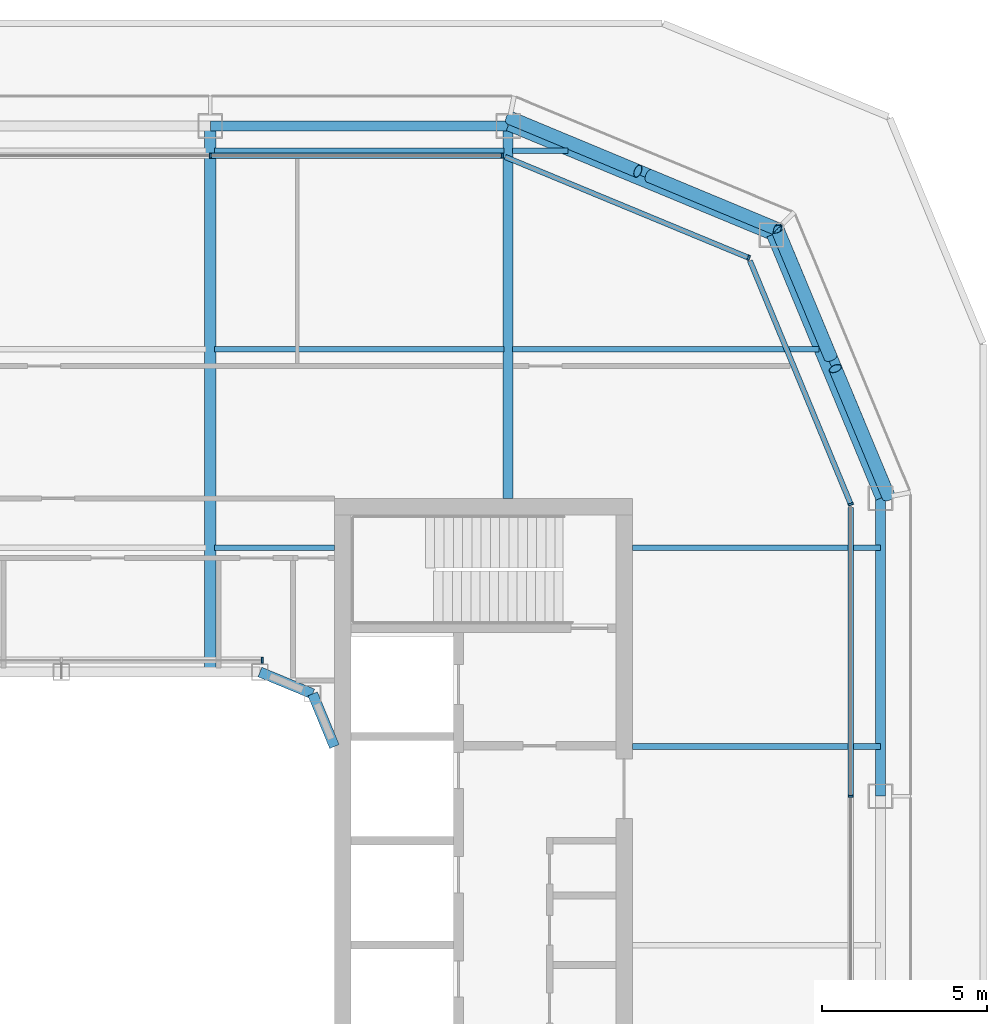
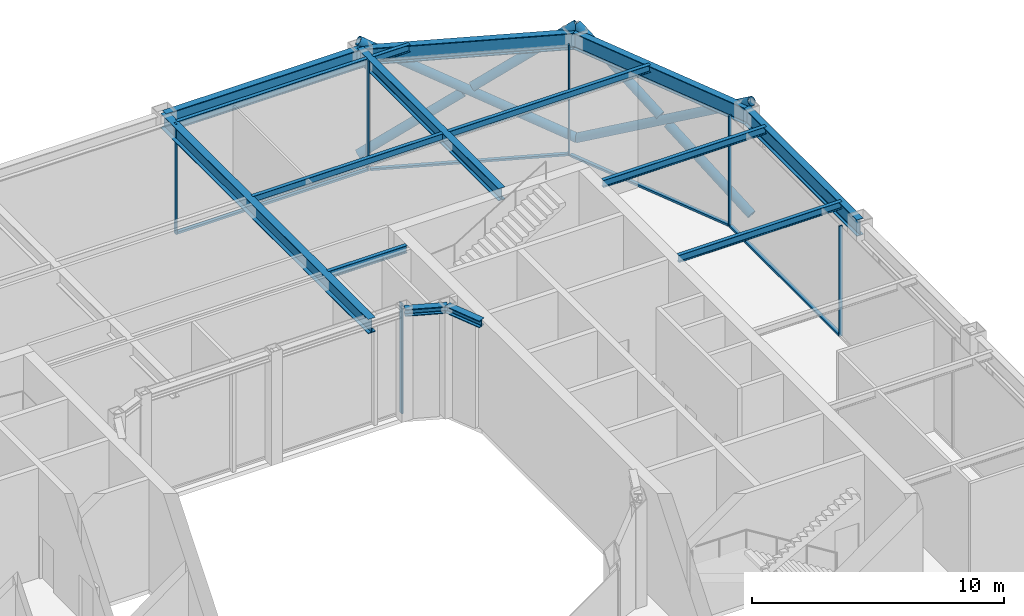
# One storey, part 8 of 17: 16 members, 15 beams, 5 elements without a shape of their own.
"""IFC4 building model written with IfcOpenShell, lengths in metres."""

from ifc_helpers import new_model, si_unit, direction, frame, origin, origin_2d, place, context, subcontext, project, spatial, rectangle, hollow_circle, i_section, extrude, material, layer, layer_set, material_profile, profile_set, type_object, element, aggregate, save


model = new_model("IFC4")

# Units and contexts
model_context = context("Model", 3, precision=1e-05, world=origin(), true_north=direction((0.0, 1.0)))
body_context = subcontext(model_context, "Body", "Model", "MODEL_VIEW")
ifc_project = project(units=[si_unit("LENGTHUNIT", "METRE"), si_unit("AREAUNIT", "SQUARE_METRE"), si_unit("VOLUMEUNIT", "CUBIC_METRE"), si_unit("PLANEANGLEUNIT", "RADIAN"), si_unit("MASSUNIT", "GRAM", prefix="KILO")], contexts=[model_context])

# Site, building, storey
site_placement = place(None, origin())
site = spatial("IfcSite", under=ifc_project, at=site_placement, CompositionType="ELEMENT")
building_placement = place(site_placement, origin())
building = spatial("IfcBuilding", under=site, at=building_placement, Name="Siwar Civic Tower", CompositionType="ELEMENT")
storey_placement = place(building_placement, frame((0.0, 0.0, 284.199951171875)))
storey = spatial("IfcBuildingStorey", under=building, at=storey_placement, Name="L61", CompositionType="ELEMENT", Elevation=284.199951171875)

# Curtain wall, member
ifc_material_1 = material(Name="Aluminium and glass", Category="aluminium")
ifc_layer_1 = layer(ifc_material_1, 0.159912109375)
ifc_layer_set_1 = layer_set([ifc_layer_1], Name="Aluminium and glass")
curtain_wall_type_1 = type_object("IfcCurtainWallType", Name="ENV-CW-D", PredefinedType="NOTDEFINED", material=ifc_layer_set_1)
curtain_wall_1_placement = place(storey_placement, origin())
curtain_wall_1 = element("IfcCurtainWall", 1, at=curtain_wall_1_placement, inside=storey, type_object=curtain_wall_type_1, Name="Curtain wall D E", PredefinedType="NOTDEFINED")
ifc_material_2 = material(Name="Aluminium 6063-T6", Category="aluminium")
ifc_material_profile_1 = material_profile(ifc_material_2, rectangle(XDim=0.159912109375, YDim=0.06005859375, at=origin_2d()), Name="AL 160x60")
ifc_profile_set_1 = profile_set([ifc_material_profile_1], Name="Aluminium 6063-T6")
member_type_1 = type_object("IfcMemberType", Name="ENV-MULLION-D", PredefinedType="MULLION", material=ifc_profile_set_1)
member_1_placement = place(storey_placement, frame((23.85009765625, 4.5, 0.0), z_axis=(0.0, 0.0, 1.0), x_axis=(-1.0, 0.0, 0.0)))
member_1 = element("IfcMember", 2, at=member_1_placement, type_object=member_type_1, Name="Mullion D E 3", PredefinedType="MULLION", context=body_context, shape_type="SweptSolid", body=[
    extrude(rectangle(XDim=0.159912109375, YDim=0.06005859375, at=origin_2d()), origin(), (0.0, 0.0, 1.0), 5.35009765625),
])

ifc_material_3 = material(Name="Aluminium clad insulated panel", Category="aluminium")
ifc_layer_2 = layer(ifc_material_3, 0.159912109375)
ifc_layer_set_2 = layer_set([ifc_layer_2], Name="Aluminium clad insulated panel")
curtain_wall_type_2 = type_object("IfcCurtainWallType", Name="ENV-CW-DX", PredefinedType="NOTDEFINED", material=ifc_layer_set_2)
curtain_wall_2_placement = place(storey_placement, origin())
curtain_wall_2 = element("IfcCurtainWall", 3, at=curtain_wall_2_placement, inside=storey, type_object=curtain_wall_type_2, Name="Curtain wall D NE1", PredefinedType="NOTDEFINED")
member_2_placement = place(storey_placement, frame((23.85009765625, 13.321044921875, 0.0), z_axis=(0.0, 0.0, 1.0), x_axis=(-0.923879532511, -0.382683432365, 0.0)))
member_2 = element("IfcMember", 4, at=member_2_placement, type_object=member_type_1, Name="Mullion D NE1 1", PredefinedType="MULLION", context=body_context, shape_type="SweptSolid", body=[
    extrude(rectangle(XDim=0.159912109375, YDim=0.06005859375, at=origin_2d()), origin(), (0.0, 0.0, 1.0), 5.35009765625),
])

curtain_wall_3_placement = place(storey_placement, origin())
curtain_wall_3 = element("IfcCurtainWall", 5, at=curtain_wall_3_placement, inside=storey, type_object=curtain_wall_type_2, Name="Curtain wall D NE2", PredefinedType="NOTDEFINED")
member_3_placement = place(storey_placement, frame((20.76611328125, 20.76611328125, 0.0), z_axis=(0.0, 0.0, 1.0), x_axis=(-0.382683432365, -0.923879532511, 0.0)))
member_3 = element("IfcMember", 6, at=member_3_placement, type_object=member_type_1, Name="Mullion D NE2 1", PredefinedType="MULLION", context=body_context, shape_type="SweptSolid", body=[
    extrude(rectangle(XDim=0.159912109375, YDim=0.06005859375, at=origin_2d()), origin(), (0.0, 0.0, 1.0), 5.35009765625),
])

# Curtain wall, members
curtain_wall_4_placement = place(storey_placement, origin())
curtain_wall_4 = element("IfcCurtainWall", 7, at=curtain_wall_4_placement, inside=storey, type_object=curtain_wall_type_1, Name="Curtain wall D N", PredefinedType="NOTDEFINED")
member_4_placement = place(storey_placement, frame((13.321044921875, 23.85009765625, 0.0), z_axis=(0.0, 0.0, 1.0), x_axis=(0.0, -1.0, 0.0)))
member_4 = element("IfcMember", 8, at=member_4_placement, type_object=member_type_1, Name="Mullion D N 1", PredefinedType="MULLION", context=body_context, shape_type="SweptSolid", body=[
    extrude(rectangle(XDim=0.159912109375, YDim=0.06005859375, at=origin_2d()), origin(), (0.0, 0.0, 1.0), 5.35009765625),
])
member_5_placement = place(storey_placement, frame((4.5, 23.85009765625, 0.0), z_axis=(0.0, 0.0, 1.0), x_axis=(0.0, -1.0, 0.0)))
member_5 = element("IfcMember", 9, at=member_5_placement, type_object=member_type_1, Name="Mullion D N 2", PredefinedType="MULLION", context=body_context, shape_type="SweptSolid", body=[
    extrude(rectangle(XDim=0.159912109375, YDim=0.06005859375, at=origin_2d()), origin(), (0.0, 0.0, 1.0), 5.35009765625),
])

# Curtain wall, member
ifc_material_4 = material(Name="Aluminium and glass", Category="aluminium")
ifc_layer_3 = layer(ifc_material_4, 0.179931640625)
ifc_layer_set_3 = layer_set([ifc_layer_3], Name="Aluminium and glass")
curtain_wall_type_3 = type_object("IfcCurtainWallType", Name="ENV-CW-W", PredefinedType="NOTDEFINED", material=ifc_layer_set_3)
curtain_wall_5_placement = place(storey_placement, origin())
curtain_wall_5 = element("IfcCurtainWall", 10, at=curtain_wall_5_placement, inside=storey, type_object=curtain_wall_type_3, Name="Curtain wall W WN", PredefinedType="NOTDEFINED")
ifc_material_5 = material(Name="Aluminium 6063-T6", Category="aluminium")
ifc_material_profile_2 = material_profile(ifc_material_5, rectangle(XDim=0.179931640625, YDim=0.06005859375, at=origin_2d()), Name="AL 180x60")
ifc_profile_set_2 = profile_set([ifc_material_profile_2], Name="Aluminium 6063-T6")
member_type_2 = type_object("IfcMemberType", Name="ENV-MULLION-W", PredefinedType="MULLION", material=ifc_profile_set_2)
member_6_placement = place(storey_placement, frame((6.071533203125, 8.610107421875, 0.0), z_axis=(0.0, 0.0, 1.0), x_axis=(0.0, -1.0, 0.0)))
member_6 = element("IfcMember", 11, at=member_6_placement, type_object=member_type_2, Name="Mullion W WN 1", PredefinedType="MULLION", context=body_context, shape_type="SweptSolid", body=[
    extrude(rectangle(XDim=0.179931640625, YDim=0.06005859375, at=origin_2d()), origin(), (0.0, 0.0, 1.0), 5.35009765625),
])
aggregate(curtain_wall_5, [member_6])

# Member
ifc_material_6 = material(Name="Aluminium 6063-T6", Category="aluminium")
ifc_material_profile_3 = material_profile(ifc_material_6, rectangle(XDim=0.159912109375, YDim=0.10009765625, at=origin_2d()), Name="AL 160x100")
ifc_profile_set_3 = profile_set([ifc_material_profile_3], Name="Aluminium 6063-T6")
member_type_3 = type_object("IfcMemberType", Name="ENV-TRANSOM-D", PredefinedType="USERDEFINED", material=ifc_profile_set_3)
member_7_placement = place(storey_placement, frame((23.85009765625, 4.530029296875, 0.050048828125), z_axis=(0.0, 1.0, 0.0), x_axis=(-1.0, 0.0, 0.0)))
member_7 = element("IfcMember", 12, at=member_7_placement, type_object=member_type_3, Name="Transom D E 3", ObjectType="TRANSOM", PredefinedType="USERDEFINED", context=body_context, shape_type="SweptSolid", body=[
    extrude(rectangle(XDim=0.159912109375, YDim=0.10009765625, at=origin_2d()), origin(), (0.0, 0.0, 1.0), 8.693115234375),
])

aggregate(curtain_wall_1, [member_1, member_7])

member_8_placement = place(storey_placement, frame((23.838623046875, 13.3486328125, 0.050048828125), z_axis=(-0.382699790424, 0.923872756612, 0.0), x_axis=(-0.923872756612, -0.382699790424, 0.0)))
member_8 = element("IfcMember", 13, at=member_8_placement, type_object=member_type_3, Name="Transom D NE1 1", ObjectType="TRANSOM", PredefinedType="USERDEFINED", context=body_context, shape_type="SweptSolid", body=[
    extrude(rectangle(XDim=0.159912109375, YDim=0.10009765625, at=origin_2d()), origin(), (0.0, 0.0, 1.0), 7.930908203125),
])

aggregate(curtain_wall_2, [member_2, member_8])

member_9_placement = place(storey_placement, frame((20.738525390625, 20.777587890625, 0.050048828125), z_axis=(-0.923883640343, 0.382673515031, 0.0), x_axis=(-0.382673515031, -0.923883640343, 0.0)))
member_9 = element("IfcMember", 14, at=member_9_placement, type_object=member_type_3, Name="Transom D NE2 1", ObjectType="TRANSOM", PredefinedType="USERDEFINED", context=body_context, shape_type="SweptSolid", body=[
    extrude(rectangle(XDim=0.159912109375, YDim=0.10009765625, at=origin_2d()), origin(), (0.0, 0.0, 1.0), 7.930908203125),
])

aggregate(curtain_wall_3, [member_3, member_9])

member_10_placement = place(storey_placement, frame((13.291015625, 23.85009765625, 0.050048828125), z_axis=(-1.0, 0.0, 0.0), x_axis=(0.0, -1.0, 0.0)))
member_10 = element("IfcMember", 15, at=member_10_placement, type_object=member_type_3, Name="Transom D N 1", ObjectType="TRANSOM", PredefinedType="USERDEFINED", context=body_context, shape_type="SweptSolid", body=[
    extrude(rectangle(XDim=0.159912109375, YDim=0.10009765625, at=origin_2d()), origin(), (0.0, 0.0, 1.0), 8.760986328125),
])

aggregate(curtain_wall_4, [member_4, member_5, member_10])

# Members
ifc_material_7 = material(Name="Steel S355", Category="steel")
ifc_material_profile_4 = material_profile(ifc_material_7, hollow_circle(Radius=0.203125, WallThickness=0.01611328125, at=origin_2d()), Name="CHS406.4x16")
ifc_profile_set_4 = profile_set([ifc_material_profile_4], Name="Steel S355")
member_type_4 = type_object("IfcMemberType", Name="STR-BR-CHS406.4x16", PredefinedType="BRACE", material=ifc_profile_set_4)
member_11_placement = place(storey_placement, frame((21.6318359375, 21.6318359375, 0.0), z_axis=(-0.781791416726, 0.325297769627, 0.531961974025), x_axis=(-0.384163874976, -0.923264922524, 0.0)))
element("IfcMember", 16, at=member_11_placement, inside=storey, type_object=member_type_4, Name="L61/brc/DNE1-0-0-1", PredefinedType="BRACE", context=body_context, shape_type="SweptSolid", body=[
    extrude(hollow_circle(Radius=0.203125, WallThickness=0.01611328125, at=origin_2d()), origin(), (0.0, 0.0, 1.0), 10.339111328125),
])
for number, where, z_axis, x_axis, name in (
    (17, (13.548828125, 24.9951171875, 0.0), (0.78176721637, -0.325296461459, 0.53199833794), (0.38417269508, 0.923261252493, 0.0), "L61/brc/DNE1-0-0-2"),
    (18, (17.7626953125, 23.24169921875, 2.867431640625), (0.781806913569, -0.325292452554, 0.531942450089), (0.384152031417, 0.923269850454, 0.0), "L61/brc/DNE1-0-0-3"),
):
    element("IfcMember", number, at=place(storey_placement, frame(where, z_axis=z_axis, x_axis=x_axis)), inside=storey, type_object=member_type_4, Name=name, PredefinedType="BRACE", context=body_context, shape_type="SweptSolid", body=[
        extrude(hollow_circle(Radius=0.203125, WallThickness=0.01611328125, at=origin_2d()), origin(), (0.0, 0.0, 1.0), 4.948974609375),
    ])
member_12_placement = place(storey_placement, frame((21.6318359375, 21.6318359375, 0.0), z_axis=(0.325297769627, -0.781791416726, 0.531961974025), x_axis=(0.923264922524, 0.384163874976, 0.0)))
element("IfcMember", 19, at=member_12_placement, inside=storey, type_object=member_type_4, Name="L61/brc/DNE1-0-0-0", PredefinedType="BRACE", context=body_context, shape_type="SweptSolid", body=[
    extrude(hollow_circle(Radius=0.203125, WallThickness=0.01611328125, at=origin_2d()), origin(), (0.0, 0.0, 1.0), 10.339111328125),
])
for number, where, z_axis, x_axis, name in (
    (20, (24.9951171875, 13.548828125, 0.0), (-0.325296461459, 0.78176721637, 0.53199833794), (-0.923261252493, -0.38417269508, 0.0), "L61/brc/DNE1-0-0-4"),
    (21, (23.24169921875, 17.7626953125, 2.867431640625), (-0.325292452554, 0.781806913569, 0.531942450089), (-0.923269850454, -0.384152031417, 0.0), "L61/brc/DNE1-0-0-5"),
):
    element("IfcMember", number, at=place(storey_placement, frame(where, z_axis=z_axis, x_axis=x_axis)), inside=storey, type_object=member_type_4, Name=name, PredefinedType="BRACE", context=body_context, shape_type="SweptSolid", body=[
        extrude(hollow_circle(Radius=0.203125, WallThickness=0.01611328125, at=origin_2d()), origin(), (0.0, 0.0, 1.0), 4.948974609375),
    ])

# Beams
ifc_material_8 = material(Name="Steel S355", Category="steel")
ifc_material_profile_5 = material_profile(ifc_material_8, i_section(OverallWidth=0.169921875, OverallDepth=0.360107421875, WebThickness=0.008056640625, FlangeThickness=0.0126953125, FilletRadius=0.01806640625, at=origin_2d()), Name="IPE360")
ifc_profile_set_5 = profile_set([ifc_material_profile_5], Name="Steel S355")
beam_type_1 = type_object("IfcBeamType", Name="STR-FB-IPE360", PredefinedType="JOIST", material=ifc_profile_set_5)
beam_1_placement = place(storey_placement, frame((17.25, 6.0, 5.170166015625), z_axis=(1.0, 0.0, 0.0), x_axis=(0.0, 1.0, 0.0)))
element("IfcBeam", 22, at=beam_1_placement, inside=storey, type_object=beam_type_1, Name="L61/bm/F021", PredefinedType="JOIST", context=body_context, shape_type="SweptSolid", body=[
    extrude(i_section(OverallWidth=0.169921875, OverallDepth=0.360107421875, WebThickness=0.008056640625, FlangeThickness=0.0126953125, FilletRadius=0.01806640625, at=origin_2d()), origin(), (0.0, 0.0, 1.0), 7.5),
])
beam_2_placement = place(storey_placement, frame((4.6298828125, 12.0, 5.170166015625), z_axis=(1.0, 0.0, 0.0), x_axis=(0.0, 1.0, 0.0)))
element("IfcBeam", 23, at=beam_2_placement, inside=storey, type_object=beam_type_1, Name="L61/bm/F025", PredefinedType="JOIST", context=body_context, shape_type="SweptSolid", body=[
    extrude(i_section(OverallWidth=0.169921875, OverallDepth=0.360107421875, WebThickness=0.008056640625, FlangeThickness=0.0126953125, FilletRadius=0.01806640625, at=origin_2d()), origin(), (0.0, 0.0, 1.0), 3.6201171875),
])
beam_3_placement = place(storey_placement, frame((17.25, 12.0, 5.170166015625), z_axis=(1.0, 0.0, 0.0), x_axis=(0.0, 1.0, 0.0)))
element("IfcBeam", 24, at=beam_3_placement, inside=storey, type_object=beam_type_1, Name="L61/bm/F026", PredefinedType="JOIST", context=body_context, shape_type="SweptSolid", body=[
    extrude(i_section(OverallWidth=0.169921875, OverallDepth=0.360107421875, WebThickness=0.008056640625, FlangeThickness=0.0126953125, FilletRadius=0.01806640625, at=origin_2d()), origin(), (0.0, 0.0, 1.0), 7.5),
])
beam_4_placement = place(storey_placement, frame((4.6298828125, 18.0, 5.170166015625), z_axis=(1.0, 0.0, 0.0), x_axis=(0.0, 1.0, 0.0)))
element("IfcBeam", 25, at=beam_4_placement, inside=storey, type_object=beam_type_1, Name="L61/bm/F030", PredefinedType="JOIST", context=body_context, shape_type="SweptSolid", body=[
    extrude(i_section(OverallWidth=0.169921875, OverallDepth=0.360107421875, WebThickness=0.008056640625, FlangeThickness=0.0126953125, FilletRadius=0.01806640625, at=origin_2d()), origin(), (0.0, 0.0, 1.0), 8.740234375),
])
beam_5_placement = place(storey_placement, frame((13.6298828125, 18.0, 5.170166015625), z_axis=(1.0, 0.0, 0.0), x_axis=(0.0, 1.0, 0.0)))
element("IfcBeam", 26, at=beam_5_placement, inside=storey, type_object=beam_type_1, Name="L61/bm/F031", PredefinedType="JOIST", context=body_context, shape_type="SweptSolid", body=[
    extrude(i_section(OverallWidth=0.169921875, OverallDepth=0.360107421875, WebThickness=0.008056640625, FlangeThickness=0.0126953125, FilletRadius=0.01806640625, at=origin_2d()), origin(), (0.0, 0.0, 1.0), 9.256103515625),
])
beam_6_placement = place(storey_placement, frame((4.6298828125, 24.0, 5.170166015625), z_axis=(1.0, 0.0, 0.0), x_axis=(0.0, 1.0, 0.0)))
element("IfcBeam", 27, at=beam_6_placement, inside=storey, type_object=beam_type_1, Name="L61/bm/F035", PredefinedType="JOIST", context=body_context, shape_type="SweptSolid", body=[
    extrude(i_section(OverallWidth=0.169921875, OverallDepth=0.360107421875, WebThickness=0.008056640625, FlangeThickness=0.0126953125, FilletRadius=0.01806640625, at=origin_2d()), origin(), (0.0, 0.0, 1.0), 8.740234375),
])
beam_7_placement = place(storey_placement, frame((13.6298828125, 24.0, 5.170166015625), z_axis=(1.0, 0.0, 0.0), x_axis=(0.0, 1.0, 0.0)))
element("IfcBeam", 28, at=beam_7_placement, inside=storey, type_object=beam_type_1, Name="L61/bm/F036", PredefinedType="JOIST", context=body_context, shape_type="SweptSolid", body=[
    extrude(i_section(OverallWidth=0.169921875, OverallDepth=0.360107421875, WebThickness=0.008056640625, FlangeThickness=0.0126953125, FilletRadius=0.01806640625, at=origin_2d()), origin(), (0.0, 0.0, 1.0), 1.6806640625),
])
ifc_material_9 = material(Name="Steel S355", Category="steel")
ifc_material_profile_6 = material_profile(ifc_material_9, i_section(OverallWidth=0.300048828125, OverallDepth=0.60009765625, WebThickness=0.015380859375, FlangeThickness=0.030029296875, FilletRadius=0.027099609375, at=origin_2d()), Name="HEB600")
ifc_profile_set_6 = profile_set([ifc_material_profile_6], Name="Steel S355")
beam_type_2 = type_object("IfcBeamType", Name="STR-PG-HEB600", PredefinedType="BEAM", material=ifc_profile_set_6)
beam_8_placement = place(storey_placement, frame((13.5, 13.5, 5.050048828125), z_axis=(0.0, 1.0, 0.0), x_axis=(-1.0, 0.0, 0.0)))
element("IfcBeam", 29, at=beam_8_placement, inside=storey, type_object=beam_type_2, Name="L61/bm/G08", PredefinedType="BEAM", context=body_context, shape_type="SweptSolid", body=[
    extrude(i_section(OverallWidth=0.300048828125, OverallDepth=0.60009765625, WebThickness=0.015380859375, FlangeThickness=0.030029296875, FilletRadius=0.027099609375, at=origin_2d()), origin(), (0.0, 0.0, 1.0), 11.25),
])
ifc_material_10 = material(Name="Steel S355", Category="steel")
ifc_material_profile_7 = material_profile(ifc_material_10, i_section(OverallWidth=0.340087890625, OverallDepth=0.699951171875, WebThickness=0.013916015625, FlangeThickness=0.030029296875, at=origin_2d()), Name="PG700x340x14x30")
ifc_profile_set_7 = profile_set([ifc_material_profile_7], Name="Steel S355")
beam_type_3 = type_object("IfcBeamType", Name="STR-PG-PG700x340x14x30", PredefinedType="BEAM", material=ifc_profile_set_7)
beam_9_placement = place(storey_placement, frame((4.5, 8.25, 5.0), z_axis=(0.0, 1.0, 0.0), x_axis=(-1.0, 0.0, 0.0)))
element("IfcBeam", 30, at=beam_9_placement, inside=storey, type_object=beam_type_3, Name="L61/bm/G06", PredefinedType="BEAM", context=body_context, shape_type="SweptSolid", body=[
    extrude(i_section(OverallWidth=0.340087890625, OverallDepth=0.699951171875, WebThickness=0.013916015625, FlangeThickness=0.030029296875, at=origin_2d()), origin(), (0.0, 0.0, 1.0), 16.5),
])
ifc_material_11 = material(Name="Steel S355", Category="steel")
ifc_material_profile_8 = material_profile(ifc_material_11, i_section(OverallWidth=0.31005859375, OverallDepth=0.340087890625, WebThickness=0.02099609375, FlangeThickness=0.0390625, FilletRadius=0.027099609375, at=origin_2d()), Name="HEM300")
ifc_profile_set_8 = profile_set([ifc_material_profile_8], Name="Steel S355")
beam_type_4 = type_object("IfcBeamType", Name="STR-RB-HEM300", PredefinedType="BEAM", material=ifc_profile_set_8)
for number, where, z_axis, x_axis, name in (
    (31, (6.0, 8.25, 5.179931640625), (0.923901072997, -0.382631424892, 0.0), (0.382631424892, 0.923901072997, 0.0), "L61/bm/RN3"),
    (32, (7.591064453125, 7.591064453125, 5.179931640625), (0.382631424892, -0.923901072997, 0.0), (0.923901072997, 0.382631424892, 0.0), "L61/bm/RNEE"),
):
    element("IfcBeam", number, at=place(storey_placement, frame(where, z_axis=z_axis, x_axis=x_axis)), inside=storey, type_object=beam_type_4, Name=name, PredefinedType="BEAM", context=body_context, shape_type="SweptSolid", body=[
        extrude(i_section(OverallWidth=0.31005859375, OverallDepth=0.340087890625, WebThickness=0.02099609375, FlangeThickness=0.0390625, FilletRadius=0.027099609375, at=origin_2d()), origin(), (0.0, 0.0, 1.0), 1.72216796875),
    ])
ifc_material_12 = material(Name="Steel S355", Category="steel")
ifc_material_profile_9 = material_profile(ifc_material_12, i_section(OverallWidth=0.300048828125, OverallDepth=0.800048828125, WebThickness=0.017578125, FlangeThickness=0.032958984375, FilletRadius=0.030029296875, at=origin_2d()), Name="HEB800")
ifc_profile_set_9 = profile_set([ifc_material_profile_9], Name="Steel S355")
beam_type_5 = type_object("IfcBeamType", Name="STR-SB-HEB800", PredefinedType="BEAM", material=ifc_profile_set_9)
beam_10_placement = place(storey_placement, frame((24.75, 4.5, 4.949951171875), z_axis=(0.0, 1.0, 0.0), x_axis=(-1.0, 0.0, 0.0)))
element("IfcBeam", 33, at=beam_10_placement, inside=storey, type_object=beam_type_5, Name="L61/bm/SE-2", PredefinedType="BEAM", context=body_context, shape_type="SweptSolid", body=[
    extrude(i_section(OverallWidth=0.300048828125, OverallDepth=0.800048828125, WebThickness=0.017578125, FlangeThickness=0.032958984375, FilletRadius=0.030029296875, at=origin_2d()), origin(), (0.0, 0.0, 1.0), 9.0),
])
for number, where, z_axis, x_axis, name in (
    (34, (24.75, 13.5, 4.949951171875), (-0.382699877515, 0.923872720536, 0.0), (-0.923872720536, -0.382699877515, 0.0), "L61/bm/SNE1-0"),
    (35, (21.454833984375, 21.454833984375, 4.949951171875), (-0.923872720536, 0.382699877515, 0.0), (-0.382699877515, -0.923872720536, 0.0), "L61/bm/SNE2-0"),
):
    element("IfcBeam", number, at=place(storey_placement, frame(where, z_axis=z_axis, x_axis=x_axis)), inside=storey, type_object=beam_type_5, Name=name, PredefinedType="BEAM", context=body_context, shape_type="SweptSolid", body=[
        extrude(i_section(OverallWidth=0.300048828125, OverallDepth=0.800048828125, WebThickness=0.017578125, FlangeThickness=0.032958984375, FilletRadius=0.030029296875, at=origin_2d()), origin(), (0.0, 0.0, 1.0), 8.6103515625),
    ])
beam_11_placement = place(storey_placement, frame((13.5, 24.75, 4.949951171875), z_axis=(-1.0, 0.0, 0.0), x_axis=(0.0, -1.0, 0.0)))
element("IfcBeam", 36, at=beam_11_placement, inside=storey, type_object=beam_type_5, Name="L61/bm/SN-0", PredefinedType="BEAM", context=body_context, shape_type="SweptSolid", body=[
    extrude(i_section(OverallWidth=0.300048828125, OverallDepth=0.800048828125, WebThickness=0.017578125, FlangeThickness=0.032958984375, FilletRadius=0.030029296875, at=origin_2d()), origin(), (0.0, 0.0, 1.0), 9.0),
])

save(model, "model.ifc")
